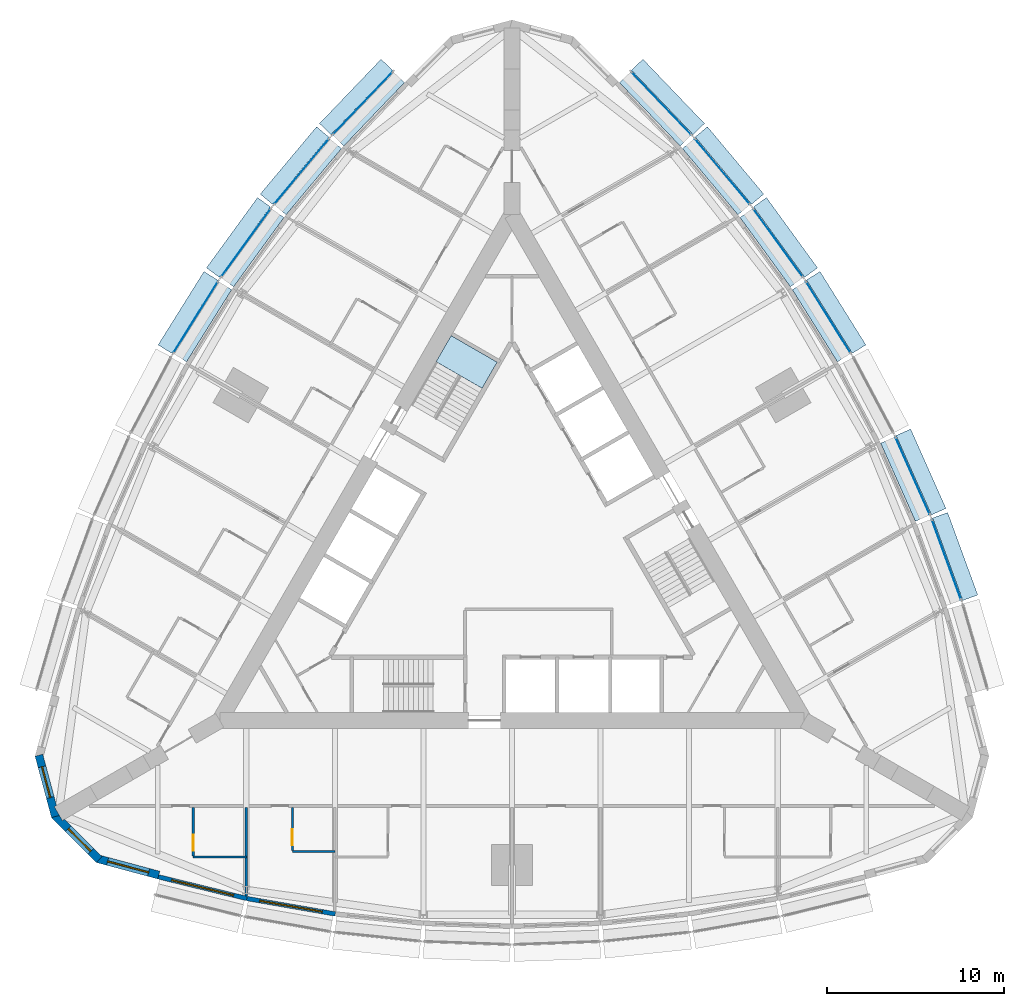
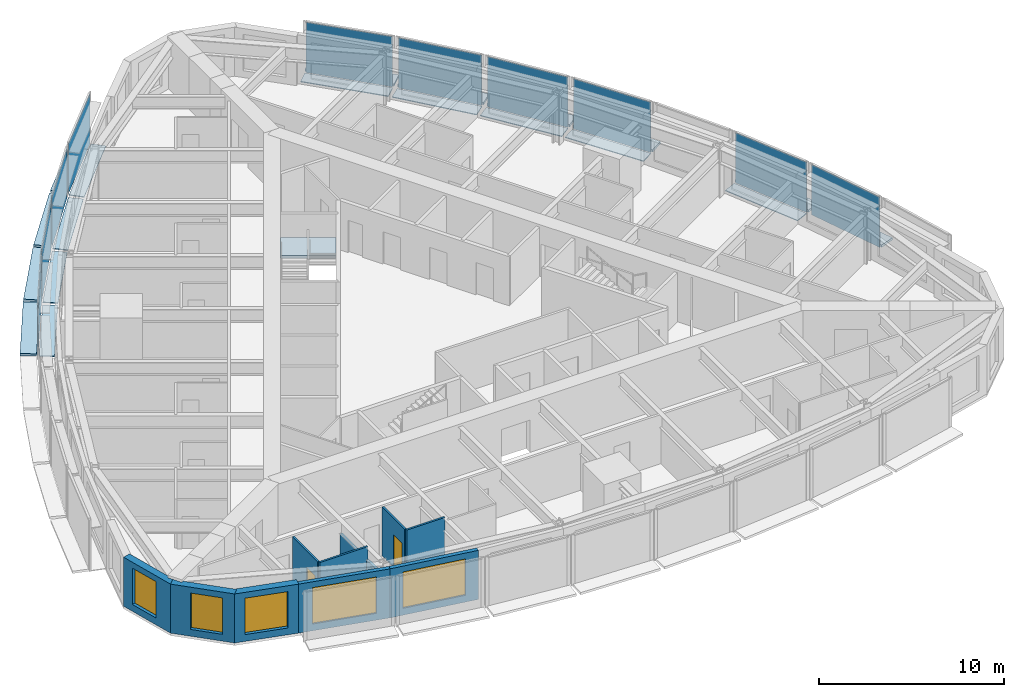
# One storey, part 7 of 14: 29 plates, 10 walls, 5 windows, 2 doors, 1 slab, 7 openings, 11 elements without a shape of their own.
"""IFC4 building model written with IfcOpenShell, lengths in metres."""

from ifc_helpers import new_model, si_unit, direction, frame, frame_2d, origin, origin_2d, place, context, subcontext, project, spatial, polyline, rectangle, outline, extrude, material, layer, layer_set, type_object, element, fill, aggregate, save


model = new_model("IFC4")

# Units and contexts
model_context = context("Model", 3, precision=1e-05, world=origin(), true_north=direction((0.0, 1.0)))
body_context = subcontext(model_context, "Body", "Model", "MODEL_VIEW")
ifc_project = project(units=[si_unit("LENGTHUNIT", "METRE"), si_unit("AREAUNIT", "SQUARE_METRE"), si_unit("VOLUMEUNIT", "CUBIC_METRE"), si_unit("PLANEANGLEUNIT", "RADIAN"), si_unit("MASSUNIT", "GRAM", prefix="KILO")], contexts=[model_context])

# Site, building, storey
site_placement = place(None, origin())
site = spatial("IfcSite", under=ifc_project, at=site_placement, CompositionType="ELEMENT")
building_placement = place(site_placement, origin())
building = spatial("IfcBuilding", under=site, at=building_placement, Name="Trikona Tower", CompositionType="ELEMENT")
storey_placement = place(building_placement, frame((0.0, 0.0, 175.89990234375)))
storey = spatial("IfcBuildingStorey", under=building, at=storey_placement, Name="L47", CompositionType="ELEMENT", Elevation=175.89990234375)

# Plates
ifc_material_1 = material(Name="Aluminium bar grating", Category="aluminium")
ifc_layer_1 = layer(ifc_material_1, 0.050048828125)
ifc_layer_set_1 = layer_set([ifc_layer_1], Name="Cavity catwalk grating")
plate_type_1 = type_object("IfcPlateType", Name="Cavity catwalk grating", PredefinedType="USERDEFINED", material=ifc_layer_set_1)
plate_1_placement = place(storey_placement, frame((22.175048828125, 4.092529296875, -0.0498046875), z_axis=(0.0, 0.0, 1.0), x_axis=(-0.406843467615, 0.913497888809, 0.0)))
element("IfcPlate", 1, at=plate_1_placement, inside=storey, type_object=plate_type_1, Name="Cavity catwalk L47-14", ObjectType="CATWALK GRATING", PredefinedType="USERDEFINED", context=body_context, shape_type="SweptSolid", body=[
    extrude(rectangle(XDim=4.827392578125, YDim=0.830078125, at=origin_2d()), origin(), (0.0, 0.0, 1.0), 0.050048828125),
])
plate_2_placement = place(storey_placement, frame((17.450927734375, 12.978759765625, -0.0498046875), z_axis=(0.0, 0.0, 1.0), x_axis=(-0.529994748414, 0.848000923734, 0.0)))
element("IfcPlate", 2, at=plate_2_placement, inside=storey, type_object=plate_type_1, Name="Cavity catwalk L47-16", ObjectType="CATWALK GRATING", PredefinedType="USERDEFINED", context=body_context, shape_type="SweptSolid", body=[
    extrude(rectangle(XDim=4.802978515625, YDim=0.830078125, at=origin_2d()), origin(), (0.0, 0.0, 1.0), 0.050048828125),
])
plate_3_placement = place(storey_placement, frame((14.6318359375, 17.157958984375, -0.0498046875), z_axis=(0.0, 0.0, 1.0), x_axis=(-0.587686407834, 0.809088799853, 0.0)))
element("IfcPlate", 3, at=plate_3_placement, inside=storey, type_object=plate_type_1, Name="Cavity catwalk L47-17", ObjectType="CATWALK GRATING", PredefinedType="USERDEFINED", context=body_context, shape_type="SweptSolid", body=[
    extrude(rectangle(XDim=4.827392578125, YDim=0.830078125, at=origin_2d()), origin(), (0.0, 0.0, 1.0), 0.050048828125),
])
plate_4_placement = place(storey_placement, frame((11.508056640625, 21.160400390625, -0.0498046875), z_axis=(0.0, 0.0, 1.0), x_axis=(-0.641807063101, 0.766866151133, 0.0)))
element("IfcPlate", 4, at=plate_4_placement, inside=storey, type_object=plate_type_1, Name="Cavity catwalk L47-18", ObjectType="CATWALK GRATING", PredefinedType="USERDEFINED", context=body_context, shape_type="SweptSolid", body=[
    extrude(rectangle(XDim=4.8759765625, YDim=0.830078125, at=origin_2d()), origin(), (0.0, 0.0, 1.0), 0.050048828125),
])
for number, where, z_axis, x_axis, name in (
    (5, (8.080078125, 24.986328125, -0.0498046875), (0.0, 0.0, 1.0), (-0.691723573819, 0.722162376078, 0.0), "Cavity catwalk L47-19"),
    (6, (-8.080078125, 24.986328125, -0.0498046875), (0.0, 0.0, 1.0), (-0.691723573819, -0.722162376078, 0.0), "Cavity catwalk L47-24"),
):
    element("IfcPlate", number, at=place(storey_placement, frame(where, z_axis=z_axis, x_axis=x_axis)), inside=storey, type_object=plate_type_1, Name=name, ObjectType="CATWALK GRATING", PredefinedType="USERDEFINED", context=body_context, shape_type="SweptSolid", body=[
        extrude(rectangle(XDim=4.947998046875, YDim=0.830078125, at=origin_2d()), origin(), (0.0, 0.0, 1.0), 0.050048828125),
    ])
plate_5_placement = place(storey_placement, frame((-11.508056640625, 21.160400390625, -0.0498046875), z_axis=(0.0, 0.0, 1.0), x_axis=(-0.641807063101, -0.766866151133, 0.0)))
element("IfcPlate", 7, at=plate_5_placement, inside=storey, type_object=plate_type_1, Name="Cavity catwalk L47-25", ObjectType="CATWALK GRATING", PredefinedType="USERDEFINED", context=body_context, shape_type="SweptSolid", body=[
    extrude(rectangle(XDim=4.8759765625, YDim=0.830078125, at=origin_2d()), origin(), (0.0, 0.0, 1.0), 0.050048828125),
])
plate_6_placement = place(storey_placement, frame((-14.6318359375, 17.157958984375, -0.0498046875), z_axis=(0.0, 0.0, 1.0), x_axis=(-0.587686407834, -0.809088799853, 0.0)))
element("IfcPlate", 8, at=plate_6_placement, inside=storey, type_object=plate_type_1, Name="Cavity catwalk L47-26", ObjectType="CATWALK GRATING", PredefinedType="USERDEFINED", context=body_context, shape_type="SweptSolid", body=[
    extrude(rectangle(XDim=4.827392578125, YDim=0.830078125, at=origin_2d()), origin(), (0.0, 0.0, 1.0), 0.050048828125),
])
plate_7_placement = place(storey_placement, frame((-17.450927734375, 12.978759765625, -0.0498046875), z_axis=(0.0, 0.0, 1.0), x_axis=(-0.529994748414, -0.848000923734, 0.0)))
element("IfcPlate", 9, at=plate_7_placement, inside=storey, type_object=plate_type_1, Name="Cavity catwalk L47-27", ObjectType="CATWALK GRATING", PredefinedType="USERDEFINED", context=body_context, shape_type="SweptSolid", body=[
    extrude(rectangle(XDim=4.802978515625, YDim=0.830078125, at=origin_2d()), origin(), (0.0, 0.0, 1.0), 0.050048828125),
])

# Curtain wall, plate
ifc_material_2 = material(Name="Aluminium curtain wall system", Category="aluminium")
curtain_wall_type = type_object("IfcCurtainWallType", Name="Curtain wall DS2", PredefinedType="NOTDEFINED", material=ifc_material_2)
curtain_wall_1_placement = place(storey_placement, origin())
curtain_wall_1 = element("IfcCurtainWall", 10, at=curtain_wall_1_placement, inside=storey, type_object=curtain_wall_type, Name="Curtain wall DS2 L47", PredefinedType="NOTDEFINED")
ifc_material_3 = material(Name="Laminated clear glass", Category="glass")
ifc_layer_2 = layer(ifc_material_3, 0.028076171875)
ifc_layer_set_2 = layer_set([ifc_layer_2], Name="Glass panel DS2")
plate_type_2 = type_object("IfcPlateType", Name="Glass panel DS2", PredefinedType="CURTAIN_PANEL", material=ifc_layer_set_2)
plate_8_placement = place(storey_placement, frame((24.53515625, -0.447509765625, 0.0), z_axis=(0.0, 0.0, 1.0), x_axis=(-0.343223420143, 0.939253790978, 0.0)))
plate_8 = element("IfcPlate", 11, at=plate_8_placement, type_object=plate_type_2, Name="CW-DS2 panel 1.1", PredefinedType="CURTAIN_PANEL", context=body_context, shape_type="SweptSolid", body=[
    extrude(rectangle(XDim=4.7958984375, YDim=0.028076171875, at=origin_2d()), origin(), (0.0, 0.0, 1.0), 3.320068359375),
])
aggregate(curtain_wall_1, [plate_8])

curtain_wall_2_placement = place(storey_placement, origin())
curtain_wall_2 = element("IfcCurtainWall", 12, at=curtain_wall_2_placement, inside=storey, type_object=curtain_wall_type, Name="Curtain wall DS2 L47", PredefinedType="NOTDEFINED")
plate_9_placement = place(storey_placement, frame((22.6181640625, 4.289794921875, 0.0), z_axis=(0.0, 0.0, 1.0), x_axis=(-0.406836013132, 0.913501208767, 0.0)))
plate_9 = element("IfcPlate", 13, at=plate_9_placement, type_object=plate_type_2, Name="CW-DS2 panel 1.1", PredefinedType="CURTAIN_PANEL", context=body_context, shape_type="SweptSolid", body=[
    extrude(rectangle(XDim=4.747314453125, YDim=0.028076171875, at=origin_2d()), origin(), (0.0, 0.0, 1.0), 3.320068359375),
])
aggregate(curtain_wall_2, [plate_9])

curtain_wall_3_placement = place(storey_placement, origin())
curtain_wall_3 = element("IfcCurtainWall", 14, at=curtain_wall_3_placement, inside=storey, type_object=curtain_wall_type, Name="Curtain wall DS2 L47", PredefinedType="NOTDEFINED")
plate_10_placement = place(storey_placement, frame((17.8623046875, 13.23583984375, 0.0), z_axis=(0.0, 0.0, 1.0), x_axis=(-0.529998940002, 0.847998304006, 0.0)))
plate_10 = element("IfcPlate", 15, at=plate_10_placement, type_object=plate_type_2, Name="CW-DS2 panel 1.1", PredefinedType="CURTAIN_PANEL", context=body_context, shape_type="SweptSolid", body=[
    extrude(rectangle(XDim=4.72314453125, YDim=0.028076171875, at=origin_2d()), origin(), (0.0, 0.0, 1.0), 3.320068359375),
])
aggregate(curtain_wall_3, [plate_10])

curtain_wall_4_placement = place(storey_placement, origin())
curtain_wall_4 = element("IfcCurtainWall", 16, at=curtain_wall_4_placement, inside=storey, type_object=curtain_wall_type, Name="Curtain wall DS2 L47", PredefinedType="NOTDEFINED")
plate_11_placement = place(storey_placement, frame((15.024169921875, 17.443115234375, 0.0), z_axis=(0.0, 0.0, 1.0), x_axis=(-0.587690588313, 0.80908576332, 0.0)))
plate_11 = element("IfcPlate", 17, at=plate_11_placement, type_object=plate_type_2, Name="CW-DS2 panel 1.1", PredefinedType="CURTAIN_PANEL", context=body_context, shape_type="SweptSolid", body=[
    extrude(rectangle(XDim=4.74755859375, YDim=0.028076171875, at=origin_2d()), origin(), (0.0, 0.0, 1.0), 3.320068359375),
])
aggregate(curtain_wall_4, [plate_11])

curtain_wall_5_placement = place(storey_placement, origin())
curtain_wall_5 = element("IfcCurtainWall", 18, at=curtain_wall_5_placement, inside=storey, type_object=curtain_wall_type, Name="Curtain wall DS2 L47", PredefinedType="NOTDEFINED")
plate_12_placement = place(storey_placement, frame((11.8798828125, 21.4716796875, 0.0), z_axis=(0.0, 0.0, 1.0), x_axis=(-0.641806433248, 0.766866678271, 0.0)))
plate_12 = element("IfcPlate", 19, at=plate_12_placement, type_object=plate_type_2, Name="CW-DS2 panel 1.1", PredefinedType="CURTAIN_PANEL", context=body_context, shape_type="SweptSolid", body=[
    extrude(rectangle(XDim=4.7958984375, YDim=0.028076171875, at=origin_2d()), origin(), (0.0, 0.0, 1.0), 3.320068359375),
])
aggregate(curtain_wall_5, [plate_12])

curtain_wall_6_placement = place(storey_placement, origin())
curtain_wall_6 = element("IfcCurtainWall", 20, at=curtain_wall_6_placement, inside=storey, type_object=curtain_wall_type, Name="Curtain wall DS2 L47", PredefinedType="NOTDEFINED")
plate_13_placement = place(storey_placement, frame((8.430419921875, 25.32177734375, 0.0), z_axis=(0.0, 0.0, 1.0), x_axis=(-0.691727797117, 0.722158330767, 0.0)))
plate_13 = element("IfcPlate", 21, at=plate_13_placement, type_object=plate_type_2, Name="CW-DS2 panel 1.1", PredefinedType="CURTAIN_PANEL", context=body_context, shape_type="SweptSolid", body=[
    extrude(rectangle(XDim=4.867919921875, YDim=0.028076171875, at=origin_2d()), origin(), (0.0, 0.0, 1.0), 3.320068359375),
])
aggregate(curtain_wall_6, [plate_13])

curtain_wall_7_placement = place(storey_placement, origin())
curtain_wall_7 = element("IfcCurtainWall", 22, at=curtain_wall_7_placement, inside=storey, type_object=curtain_wall_type, Name="Curtain wall DS2 L47", PredefinedType="NOTDEFINED")
plate_14_placement = place(storey_placement, frame((-8.430419921875, 25.32177734375, 0.0), z_axis=(0.0, 0.0, 1.0), x_axis=(-0.691727797117, -0.722158330767, 0.0)))
plate_14 = element("IfcPlate", 23, at=plate_14_placement, type_object=plate_type_2, Name="CW-DS2 panel 1.1", PredefinedType="CURTAIN_PANEL", context=body_context, shape_type="SweptSolid", body=[
    extrude(rectangle(XDim=4.867919921875, YDim=0.028076171875, at=origin_2d()), origin(), (0.0, 0.0, 1.0), 3.320068359375),
])
aggregate(curtain_wall_7, [plate_14])

curtain_wall_8_placement = place(storey_placement, origin())
curtain_wall_8 = element("IfcCurtainWall", 24, at=curtain_wall_8_placement, inside=storey, type_object=curtain_wall_type, Name="Curtain wall DS2 L47", PredefinedType="NOTDEFINED")
plate_15_placement = place(storey_placement, frame((-11.8798828125, 21.4716796875, 0.0), z_axis=(0.0, 0.0, 1.0), x_axis=(-0.641806433248, -0.766866678271, 0.0)))
plate_15 = element("IfcPlate", 25, at=plate_15_placement, type_object=plate_type_2, Name="CW-DS2 panel 1.1", PredefinedType="CURTAIN_PANEL", context=body_context, shape_type="SweptSolid", body=[
    extrude(rectangle(XDim=4.7958984375, YDim=0.028076171875, at=origin_2d()), origin(), (0.0, 0.0, 1.0), 3.320068359375),
])
aggregate(curtain_wall_8, [plate_15])

curtain_wall_9_placement = place(storey_placement, origin())
curtain_wall_9 = element("IfcCurtainWall", 26, at=curtain_wall_9_placement, inside=storey, type_object=curtain_wall_type, Name="Curtain wall DS2 L47", PredefinedType="NOTDEFINED")
plate_16_placement = place(storey_placement, frame((-15.024169921875, 17.443115234375, 0.0), z_axis=(0.0, 0.0, 1.0), x_axis=(-0.587690588313, -0.80908576332, 0.0)))
plate_16 = element("IfcPlate", 27, at=plate_16_placement, type_object=plate_type_2, Name="CW-DS2 panel 1.1", PredefinedType="CURTAIN_PANEL", context=body_context, shape_type="SweptSolid", body=[
    extrude(rectangle(XDim=4.74755859375, YDim=0.028076171875, at=origin_2d()), origin(), (0.0, 0.0, 1.0), 3.320068359375),
])
aggregate(curtain_wall_9, [plate_16])

curtain_wall_10_placement = place(storey_placement, origin())
curtain_wall_10 = element("IfcCurtainWall", 28, at=curtain_wall_10_placement, inside=storey, type_object=curtain_wall_type, Name="Curtain wall DS2 L47", PredefinedType="NOTDEFINED")
plate_17_placement = place(storey_placement, frame((-17.8623046875, 13.23583984375, 0.0), z_axis=(0.0, 0.0, 1.0), x_axis=(-0.529998940002, -0.847998304006, 0.0)))
plate_17 = element("IfcPlate", 29, at=plate_17_placement, type_object=plate_type_2, Name="CW-DS2 panel 1.1", PredefinedType="CURTAIN_PANEL", context=body_context, shape_type="SweptSolid", body=[
    extrude(rectangle(XDim=4.72314453125, YDim=0.028076171875, at=origin_2d()), origin(), (0.0, 0.0, 1.0), 3.320068359375),
])
aggregate(curtain_wall_10, [plate_17])

# Plates
ifc_material_4 = material(Name="Aluminium plate fin, pale anodised, on stainless steel outriggers", Category="steel")
ifc_layer_3 = layer(ifc_material_4, 0.14990234375)
ifc_layer_set_3 = layer_set([ifc_layer_3], Name="Outer skin fin 900")
plate_type_3 = type_object("IfcPlateType", Name="Outer skin fin 900", PredefinedType="USERDEFINED", material=ifc_layer_set_3)
plate_18_placement = place(storey_placement, frame((25.0234375, -0.26904296875, 0.000244140625), z_axis=(0.0, 0.0, 1.0), x_axis=(-0.343220397324, 0.939254895575, 0.0)))
element("IfcPlate", 30, at=plate_18_placement, inside=storey, type_object=plate_type_3, Name="Outer skin fin L47-13", ObjectType="FIN", PredefinedType="USERDEFINED", context=body_context, shape_type="SweptSolid", body=[
    extrude(rectangle(XDim=4.9560546875, YDim=0.89990234375, at=origin_2d()), origin(), (0.0, 0.0, 1.0), 0.14990234375),
])
plate_19_placement = place(storey_placement, frame((23.09326171875, 4.50146484375, 0.000244140625), z_axis=(0.0, 0.0, 1.0), x_axis=(-0.406843467615, 0.913497888809, 0.0)))
element("IfcPlate", 31, at=plate_19_placement, inside=storey, type_object=plate_type_3, Name="Outer skin fin L47-14", ObjectType="FIN", PredefinedType="USERDEFINED", context=body_context, shape_type="SweptSolid", body=[
    extrude(rectangle(XDim=4.907470703125, YDim=0.89990234375, at=origin_2d()), origin(), (0.0, 0.0, 1.0), 0.14990234375),
])
plate_20_placement = place(storey_placement, frame((18.30322265625, 13.511474609375, 0.000244140625), z_axis=(0.0, 0.0, 1.0), x_axis=(-0.529994748414, 0.848000923734, 0.0)))
element("IfcPlate", 32, at=plate_20_placement, inside=storey, type_object=plate_type_3, Name="Outer skin fin L47-16", ObjectType="FIN", PredefinedType="USERDEFINED", context=body_context, shape_type="SweptSolid", body=[
    extrude(rectangle(XDim=4.883056640625, YDim=0.89990234375, at=origin_2d()), origin(), (0.0, 0.0, 1.0), 0.14990234375),
])
plate_21_placement = place(storey_placement, frame((15.44482421875, 17.74853515625, 0.000244140625), z_axis=(0.0, 0.0, 1.0), x_axis=(-0.587686407834, 0.809088799853, 0.0)))
element("IfcPlate", 33, at=plate_21_placement, inside=storey, type_object=plate_type_3, Name="Outer skin fin L47-17", ObjectType="FIN", PredefinedType="USERDEFINED", context=body_context, shape_type="SweptSolid", body=[
    extrude(rectangle(XDim=4.907470703125, YDim=0.89990234375, at=origin_2d()), origin(), (0.0, 0.0, 1.0), 0.14990234375),
])
plate_22_placement = place(storey_placement, frame((12.27880859375, 21.8056640625, 0.000244140625), z_axis=(0.0, 0.0, 1.0), x_axis=(-0.641807063101, 0.766866151133, 0.0)))
element("IfcPlate", 34, at=plate_22_placement, inside=storey, type_object=plate_type_3, Name="Outer skin fin L47-18", ObjectType="FIN", PredefinedType="USERDEFINED", context=body_context, shape_type="SweptSolid", body=[
    extrude(rectangle(XDim=4.9560546875, YDim=0.89990234375, at=origin_2d()), origin(), (0.0, 0.0, 1.0), 0.14990234375),
])
for number, where, z_axis, x_axis, name in (
    (35, (8.805908203125, 25.681396484375, 0.000244140625), (0.0, 0.0, 1.0), (-0.691723573819, 0.722162376078, 0.0), "Outer skin fin L47-19"),
    (36, (-8.805908203125, 25.681396484375, 0.000244140625), (0.0, 0.0, 1.0), (-0.691723573819, -0.722162376078, 0.0), "Outer skin fin L47-24"),
):
    element("IfcPlate", number, at=place(storey_placement, frame(where, z_axis=z_axis, x_axis=x_axis)), inside=storey, type_object=plate_type_3, Name=name, ObjectType="FIN", PredefinedType="USERDEFINED", context=body_context, shape_type="SweptSolid", body=[
        extrude(rectangle(XDim=5.02783203125, YDim=0.89990234375, at=origin_2d()), origin(), (0.0, 0.0, 1.0), 0.14990234375),
    ])
plate_23_placement = place(storey_placement, frame((-12.27880859375, 21.8056640625, 0.000244140625), z_axis=(0.0, 0.0, 1.0), x_axis=(-0.641807063101, -0.766866151133, 0.0)))
element("IfcPlate", 37, at=plate_23_placement, inside=storey, type_object=plate_type_3, Name="Outer skin fin L47-25", ObjectType="FIN", PredefinedType="USERDEFINED", context=body_context, shape_type="SweptSolid", body=[
    extrude(rectangle(XDim=4.9560546875, YDim=0.89990234375, at=origin_2d()), origin(), (0.0, 0.0, 1.0), 0.14990234375),
])
plate_24_placement = place(storey_placement, frame((-15.44482421875, 17.74853515625, 0.000244140625), z_axis=(0.0, 0.0, 1.0), x_axis=(-0.587686407834, -0.809088799853, 0.0)))
element("IfcPlate", 38, at=plate_24_placement, inside=storey, type_object=plate_type_3, Name="Outer skin fin L47-26", ObjectType="FIN", PredefinedType="USERDEFINED", context=body_context, shape_type="SweptSolid", body=[
    extrude(rectangle(XDim=4.907470703125, YDim=0.89990234375, at=origin_2d()), origin(), (0.0, 0.0, 1.0), 0.14990234375),
])
plate_25_placement = place(storey_placement, frame((-18.30322265625, 13.511474609375, 0.000244140625), z_axis=(0.0, 0.0, 1.0), x_axis=(-0.529994748414, -0.848000923734, 0.0)))
element("IfcPlate", 39, at=plate_25_placement, inside=storey, type_object=plate_type_3, Name="Outer skin fin L47-27", ObjectType="FIN", PredefinedType="USERDEFINED", context=body_context, shape_type="SweptSolid", body=[
    extrude(rectangle(XDim=4.883056640625, YDim=0.89990234375, at=origin_2d()), origin(), (0.0, 0.0, 1.0), 0.14990234375),
])

# Stair, slab
ifc_material_5 = material(Name="Concrete f'c 5000 psi", Category="concrete")
stair_type = type_object("IfcStairType", Name="Core stair", PredefinedType="HALF_TURN_STAIR", material=ifc_material_5)
stair_placement = place(storey_placement, origin())
stair = element("IfcStair", 40, at=stair_placement, inside=storey, type_object=stair_type, Name="Stair C L47", PredefinedType="HALF_TURN_STAIR")
ifc_material_6 = material(Name="Concrete f'c 5000 psi", Category="concrete")
ifc_layer_4 = layer(ifc_material_6, 0.199951171875)
ifc_layer_set_4 = layer_set([ifc_layer_4], Name="Stair landing 200")
slab_type = type_object("IfcSlabType", Name="Stair landing 200", PredefinedType="LANDING", material=ifc_layer_set_4)
slab_placement = place(storey_placement, frame((0.0, 0.0, 1.5)))
slab = element("IfcSlab", 41, at=slab_placement, type_object=slab_type, Name="ST-C landing 2", PredefinedType="LANDING", context=body_context, shape_type="SweptSolid", body=[
    extrude(outline(polyline([(-0.837158203125, 10.702392578125), (-1.688720703125, 9.2275390625), (-4.286865234375, 10.7275390625), (-3.435302734375, 12.202392578125), (-0.837158203125, 10.702392578125)])), origin(), (0.0, 0.0, 1.0), 0.2001953125),
])
aggregate(stair, [slab])

# Wall
ifc_material_7 = material(Name="Metal stud and cement board", Category="gypsum")
ifc_layer_5 = layer(ifc_material_7, 0.1201171875)
ifc_layer_set_5 = layer_set([ifc_layer_5], Name="Bathroom wall 120")
wall_type_1 = type_object("IfcWallType", Name="Bathroom wall 120", PredefinedType="PLUMBINGWALL", material=ifc_layer_set_5)
wall_1_placement = place(storey_placement, frame((-18.0, -17.226318359375, 0.0), z_axis=(0.0, 0.0, 1.0), x_axis=(1.0, 0.0, 0.0)))
element("IfcWall", 42, at=wall_1_placement, inside=storey, type_object=wall_type_1, Name="Bathroom wall 4701", PredefinedType="PLUMBINGWALL", context=body_context, shape_type="SweptSolid", body=[
    extrude(rectangle(XDim=3.0, YDim=0.1201171875, at=frame_2d((1.5, 0.0))), origin(), (0.0, 0.0, 1.0), 3.235107421875),
])

# Wall, opening, door
wall_2_placement = place(storey_placement, frame((-18.0, -14.42626953125, 0.0), z_axis=(0.0, 0.0, 1.0), x_axis=(0.0, -1.0, 0.0)))
wall_2 = element("IfcWall", 43, at=wall_2_placement, inside=storey, type_object=wall_type_1, Name="Bathroom wall 4701", PredefinedType="PLUMBINGWALL", context=body_context, shape_type="SweptSolid", body=[
    extrude(rectangle(XDim=2.739990234375, YDim=0.1201171875, at=frame_2d((1.3701171875, 0.0))), origin(), (0.0, 0.0, 1.0), 3.235107421875),
])
opening_1_placement = place(wall_2_placement, frame((1.550048828125, 0.0, 0.0)))
opening_1 = element("IfcOpeningElement", 44, at=opening_1_placement, cuts=wall_2, Name="Opening D2", PredefinedType="OPENING", context=body_context, shape_type="SweptSolid", body=[
    extrude(rectangle(XDim=0.89990234375, YDim=2.1298828125, at=frame_2d((0.449951171875, 1.06494140625))), frame((0.0, 0.070068359375, 0.0), z_axis=(0.0, -1.0, 0.0), x_axis=(1.0, 0.0, 0.0)), (0.0, 0.0, 1.0), 0.14013671875),
])
ifc_material_8 = material(Name="Steel door frame with solid-core timber leaf", Category="steel")
door_type = type_object("IfcDoorType", Name="Bathroom door 900x2130", OperationType="SLIDING_TO_LEFT", PredefinedType="DOOR", material=ifc_material_8)
door_1_placement = place(opening_1_placement, origin())
door_1 = element("IfcDoor", 45, at=door_1_placement, inside=storey, type_object=door_type, Name="Bathroom door 4701", OperationType="SLIDING_TO_LEFT", OverallHeight=2.1298828125, OverallWidth=0.89990234375, PredefinedType="DOOR", context=body_context, shape_type="SweptSolid", body=[
    extrude(rectangle(XDim=0.89990234375, YDim=2.1298828125, at=frame_2d((0.449951171875, 1.06494140625))), frame((0.0, 0.02490234375, 0.0), z_axis=(0.0, -1.0, 0.0), x_axis=(1.0, 0.0, 0.0)), (0.0, 0.0, 1.0), 0.050048828125),
])
fill(opening_1, door_1)

# Wall
wall_3_placement = place(storey_placement, frame((-12.39990234375, -16.92626953125, 0.0), z_axis=(0.0, 0.0, 1.0), x_axis=(1.0, 0.0, 0.0)))
element("IfcWall", 46, at=wall_3_placement, inside=storey, type_object=wall_type_1, Name="Bathroom wall 4702", PredefinedType="PLUMBINGWALL", context=body_context, shape_type="SweptSolid", body=[
    extrude(rectangle(XDim=2.39990234375, YDim=0.1201171875, at=frame_2d((1.199951171875, 0.0))), origin(), (0.0, 0.0, 1.0), 3.235107421875),
])

# Wall, opening, door
wall_4_placement = place(storey_placement, frame((-12.39990234375, -14.42626953125, 0.0), z_axis=(0.0, 0.0, 1.0), x_axis=(0.0, -1.0, 0.0)))
wall_4 = element("IfcWall", 47, at=wall_4_placement, inside=storey, type_object=wall_type_1, Name="Bathroom wall 4702", PredefinedType="PLUMBINGWALL", context=body_context, shape_type="SweptSolid", body=[
    extrude(rectangle(XDim=2.43994140625, YDim=0.1201171875, at=frame_2d((1.219970703125, 0.0))), origin(), (0.0, 0.0, 1.0), 3.235107421875),
])
opening_2_placement = place(wall_4_placement, frame((1.25, 0.0, 0.0)))
opening_2 = element("IfcOpeningElement", 48, at=opening_2_placement, cuts=wall_4, Name="Opening D2", PredefinedType="OPENING", context=body_context, shape_type="SweptSolid", body=[
    extrude(rectangle(XDim=0.89990234375, YDim=2.1298828125, at=frame_2d((0.449951171875, 1.06494140625))), frame((0.0, 0.070068359375, 0.0), z_axis=(0.0, -1.0, 0.0), x_axis=(1.0, 0.0, 0.0)), (0.0, 0.0, 1.0), 0.14013671875),
])
door_2_placement = place(opening_2_placement, origin())
door_2 = element("IfcDoor", 49, at=door_2_placement, inside=storey, type_object=door_type, Name="Bathroom door 4702", OperationType="SLIDING_TO_LEFT", OverallHeight=2.1298828125, OverallWidth=0.89990234375, PredefinedType="DOOR", context=body_context, shape_type="SweptSolid", body=[
    extrude(rectangle(XDim=0.89990234375, YDim=2.1298828125, at=frame_2d((0.449951171875, 1.06494140625))), frame((0.0, 0.02490234375, 0.0), z_axis=(0.0, -1.0, 0.0), x_axis=(1.0, 0.0, 0.0)), (0.0, 0.0, 1.0), 0.050048828125),
])
fill(opening_2, door_2)

# Wall, opening, window
ifc_material_9 = material(Name="Brick-faced precast concrete", Category="masonry")
ifc_layer_6 = layer(ifc_material_9, 0.449951171875)
ifc_layer_set_6 = layer_set([ifc_layer_6], Name="Brick-faced corner wall 450")
wall_type_2 = type_object("IfcWallType", Name="Brick-faced corner wall 450", PredefinedType="SOLIDWALL", material=ifc_layer_set_6)
wall_5_placement = place(storey_placement, frame((-26.7109375, -11.48876953125, 0.0), z_axis=(0.0, 0.0, 1.0), x_axis=(0.258823421857, -0.965924653531, 0.0)))
wall_5 = element("IfcWall", 50, at=wall_5_placement, inside=storey, type_object=wall_type_2, Name="External wall L47-33", PredefinedType="SOLIDWALL", context=body_context, shape_type="SweptSolid", body=[
    extrude(outline(polyline([(3.58642578125, 0.22509765625), (3.52685546875, 0.22509765625), (3.03515625, 0.09326171875), (3.0, 0.22509765625), (0.0, 0.22509765625), (0.0, -0.22509765625), (3.58642578125, -0.22509765625), (3.58642578125, 0.22509765625)])), origin(), (0.0, 0.0, 1.0), 3.235107421875),
])
opening_3_placement = place(wall_5_placement, frame((0.6748046875, 0.0, 0.449951171875)))
opening_3 = element("IfcOpeningElement", 51, at=opening_3_placement, cuts=wall_5, Name="Opening W1824", PredefinedType="OPENING", context=body_context, shape_type="SweptSolid", body=[
    extrude(rectangle(XDim=1.800048828125, YDim=2.39990234375, at=frame_2d((0.89990234375, 1.199951171875))), frame((0.0, 0.23486328125, 0.0), z_axis=(0.0, -1.0, 0.0), x_axis=(1.0, 0.0, 0.0)), (0.0, 0.0, 1.0), 0.469970703125),
])
ifc_material_10 = material(Name="Aluminium-framed double glazing", Category="aluminium")
window_type_1 = type_object("IfcWindowType", Name="Window 1800x2400", PartitioningType="SINGLE_PANEL", PredefinedType="WINDOW", material=ifc_material_10)
window_1_placement = place(opening_3_placement, origin())
window_1 = element("IfcWindow", 52, at=window_1_placement, inside=storey, type_object=window_type_1, Name="Window 4715", OverallHeight=2.39990234375, OverallWidth=1.800048828125, PartitioningType="SINGLE_PANEL", PredefinedType="WINDOW", context=body_context, shape_type="SweptSolid", body=[
    extrude(rectangle(XDim=1.800048828125, YDim=2.39990234375, at=frame_2d((0.89990234375, 1.199951171875))), frame((0.0, 0.030029296875, 0.0), z_axis=(0.0, -1.0, 0.0), x_axis=(1.0, 0.0, 0.0)), (0.0, 0.0, 1.0), 0.06005859375),
])
fill(opening_3, window_1)

wall_6_placement = place(storey_placement, frame((-25.8408203125, -14.85205078125, 0.0), z_axis=(0.0, 0.0, 1.0), x_axis=(0.707106781187, -0.707106781187, 0.0)))
wall_6 = element("IfcWall", 53, at=wall_6_placement, inside=storey, type_object=wall_type_2, Name="External wall L47-34", PredefinedType="SOLIDWALL", context=body_context, shape_type="SweptSolid", body=[
    extrude(outline(polyline([(3.586181640625, 0.22509765625), (0.58642578125, 0.22509765625), (0.551025390625, 0.09326171875), (0.05908203125, 0.22509765625), (0.0, 0.22509765625), (0.0, -0.22509765625), (3.586181640625, -0.22509765625), (3.586181640625, 0.22509765625)])), origin(), (0.0, 0.0, 1.0), 3.235107421875),
])
opening_4_placement = place(wall_6_placement, frame((1.111328125, 0.0, 0.449951171875)))
opening_4 = element("IfcOpeningElement", 54, at=opening_4_placement, cuts=wall_6, Name="Opening W1824", PredefinedType="OPENING", context=body_context, shape_type="SweptSolid", body=[
    extrude(rectangle(XDim=1.800048828125, YDim=2.39990234375, at=frame_2d((0.89990234375, 1.199951171875))), frame((0.0, 0.23486328125, 0.0), z_axis=(0.0, -1.0, 0.0), x_axis=(1.0, 0.0, 0.0)), (0.0, 0.0, 1.0), 0.469970703125),
])
window_2_placement = place(opening_4_placement, origin())
window_2 = element("IfcWindow", 55, at=window_2_placement, inside=storey, type_object=window_type_1, Name="Window 4701", OverallHeight=2.39990234375, OverallWidth=1.800048828125, PartitioningType="SINGLE_PANEL", PredefinedType="WINDOW", context=body_context, shape_type="SweptSolid", body=[
    extrude(rectangle(XDim=1.800048828125, YDim=2.39990234375, at=frame_2d((0.89990234375, 1.199951171875))), frame((0.0, 0.030029296875, 0.0), z_axis=(0.0, -1.0, 0.0), x_axis=(1.0, 0.0, 0.0)), (0.0, 0.0, 1.0), 0.06005859375),
])
fill(opening_4, window_2)

wall_7_placement = place(storey_placement, frame((-23.406005859375, -17.32958984375, 0.0), z_axis=(0.0, 0.0, 1.0), x_axis=(0.965924653531, -0.258823421857, 0.0)))
wall_7 = element("IfcWall", 56, at=wall_7_placement, inside=storey, type_object=wall_type_2, Name="External wall L47-35", PredefinedType="SOLIDWALL", context=body_context, shape_type="SweptSolid", body=[
    extrude(rectangle(XDim=3.58642578125, YDim=0.449951171875, at=frame_2d((1.793212890625, 0.0))), origin(), (0.0, 0.0, 1.0), 3.235107421875),
])
opening_5_placement = place(wall_7_placement, frame((0.593017578125, 0.0, 0.449951171875)))
opening_5 = element("IfcOpeningElement", 57, at=opening_5_placement, cuts=wall_7, Name="Opening W2424", PredefinedType="OPENING", context=body_context, shape_type="SweptSolid", body=[
    extrude(rectangle(XDim=2.39990234375, YDim=2.39990234375, at=frame_2d((1.199951171875, 1.199951171875))), frame((0.0, 0.23486328125, 0.0), z_axis=(0.0, -1.0, 0.0), x_axis=(1.0, 0.0, 0.0)), (0.0, 0.0, 1.0), 0.469970703125),
])
ifc_material_11 = material(Name="Aluminium-framed double glazing", Category="aluminium")
window_type_2 = type_object("IfcWindowType", Name="Window 2400x2400", PartitioningType="SINGLE_PANEL", PredefinedType="WINDOW", material=ifc_material_11)
window_3_placement = place(opening_5_placement, origin())
window_3 = element("IfcWindow", 58, at=window_3_placement, inside=storey, type_object=window_type_2, Name="Window 4701", OverallHeight=2.39990234375, OverallWidth=2.39990234375, PartitioningType="SINGLE_PANEL", PredefinedType="WINDOW", context=body_context, shape_type="SweptSolid", body=[
    extrude(rectangle(XDim=2.39990234375, YDim=2.39990234375, at=frame_2d((1.199951171875, 1.199951171875))), frame((0.0, 0.030029296875, 0.0), z_axis=(0.0, -1.0, 0.0), x_axis=(1.0, 0.0, 0.0)), (0.0, 0.0, 1.0), 0.06005859375),
])
fill(opening_5, window_3)

ifc_material_12 = material(Name="Insulated precast concrete spandrel panel", Category="concrete")
ifc_layer_7 = layer(ifc_material_12, 0.25)
ifc_layer_set_7 = layer_set([ifc_layer_7], Name="Inner skin wall 250")
wall_type_3 = type_object("IfcWallType", Name="Inner skin wall 250", PredefinedType="STANDARD", material=ifc_layer_set_7)
wall_8_placement = place(storey_placement, frame((-19.97021484375, -18.353759765625, 0.0), z_axis=(0.0, 0.0, 1.0), x_axis=(0.971270024053, -0.237980126011, 0.0)))
wall_8 = element("IfcWall", 59, at=wall_8_placement, inside=storey, type_object=wall_type_3, Name="External wall L47-00", PredefinedType="STANDARD", context=body_context, shape_type="SweptSolid", body=[
    extrude(rectangle(XDim=5.14794921875, YDim=0.25, at=frame_2d((2.573974609375, 0.0))), origin(), (0.0, 0.0, 1.0), 3.235107421875),
])
opening_6_placement = place(wall_8_placement, frame((0.77392578125, 0.0, 0.449951171875)))
opening_6 = element("IfcOpeningElement", 60, at=opening_6_placement, cuts=wall_8, Name="Opening W3624", PredefinedType="OPENING", context=body_context, shape_type="SweptSolid", body=[
    extrude(rectangle(XDim=3.60009765625, YDim=2.39990234375, at=frame_2d((1.800048828125, 1.199951171875))), frame((0.0, 0.135009765625, 0.0), z_axis=(0.0, -1.0, 0.0), x_axis=(1.0, 0.0, 0.0)), (0.0, 0.0, 1.0), 0.27001953125),
])
ifc_material_13 = material(Name="Aluminium-framed double glazing", Category="aluminium")
window_type_3 = type_object("IfcWindowType", Name="Window 3600x2400", PartitioningType="SINGLE_PANEL", PredefinedType="WINDOW", material=ifc_material_13)
window_4_placement = place(opening_6_placement, origin())
window_4 = element("IfcWindow", 61, at=window_4_placement, inside=storey, type_object=window_type_3, Name="Window 4701", OverallHeight=2.39990234375, OverallWidth=3.60009765625, PartitioningType="SINGLE_PANEL", PredefinedType="WINDOW", context=body_context, shape_type="SweptSolid", body=[
    extrude(rectangle(XDim=3.60009765625, YDim=2.39990234375, at=frame_2d((1.800048828125, 1.199951171875))), frame((0.0, 0.030029296875, 0.0), z_axis=(0.0, -1.0, 0.0), x_axis=(1.0, 0.0, 0.0)), (0.0, 0.0, 1.0), 0.06005859375),
])
fill(opening_6, window_4)

wall_9_placement = place(storey_placement, frame((-14.978515625, -19.5771484375, 0.0), z_axis=(0.0, 0.0, 1.0), x_axis=(0.985030467156, -0.172380331752, 0.0)))
wall_9 = element("IfcWall", 62, at=wall_9_placement, inside=storey, type_object=wall_type_3, Name="External wall L47-01", PredefinedType="STANDARD", context=body_context, shape_type="SweptSolid", body=[
    extrude(rectangle(XDim=5.075927734375, YDim=0.25, at=frame_2d((2.5380859375, 0.0))), origin(), (0.0, 0.0, 1.0), 3.235107421875),
])
opening_7_placement = place(wall_9_placement, frame((0.738037109375, 0.0, 0.449951171875)))
opening_7 = element("IfcOpeningElement", 63, at=opening_7_placement, cuts=wall_9, Name="Opening W3624", PredefinedType="OPENING", context=body_context, shape_type="SweptSolid", body=[
    extrude(rectangle(XDim=3.60009765625, YDim=2.39990234375, at=frame_2d((1.800048828125, 1.199951171875))), frame((0.0, 0.135009765625, 0.0), z_axis=(0.0, -1.0, 0.0), x_axis=(1.0, 0.0, 0.0)), (0.0, 0.0, 1.0), 0.27001953125),
])
window_5_placement = place(opening_7_placement, origin())
window_5 = element("IfcWindow", 64, at=window_5_placement, inside=storey, type_object=window_type_3, Name="Window 4702", OverallHeight=2.39990234375, OverallWidth=3.60009765625, PartitioningType="SINGLE_PANEL", PredefinedType="WINDOW", context=body_context, shape_type="SweptSolid", body=[
    extrude(rectangle(XDim=3.60009765625, YDim=2.39990234375, at=frame_2d((1.800048828125, 1.199951171875))), frame((0.0, 0.030029296875, 0.0), z_axis=(0.0, -1.0, 0.0), x_axis=(1.0, 0.0, 0.0)), (0.0, 0.0, 1.0), 0.06005859375),
])
fill(opening_7, window_5)

# Wall
ifc_material_14 = material(Name="Metal stud and gypsum board, 1-hour acoustic", Category="gypsum")
ifc_layer_8 = layer(ifc_material_14, 0.14990234375)
ifc_layer_set_8 = layer_set([ifc_layer_8], Name="Party wall 150")
wall_type_4 = type_object("IfcWallType", Name="Party wall 150", PredefinedType="PARTITIONING", material=ifc_layer_set_8)
wall_10_placement = place(storey_placement, frame((-15.0, -14.42626953125, 0.0), z_axis=(0.0, 0.0, 1.0), x_axis=(0.0, -1.0, 0.0)))
element("IfcWall", 65, at=wall_10_placement, inside=storey, type_object=wall_type_4, Name="Partition L47 F1 u-15", PredefinedType="PARTITIONING", context=body_context, shape_type="SweptSolid", body=[
    extrude(rectangle(XDim=5.0166015625, YDim=0.14990234375, at=frame_2d((2.50830078125, 0.0))), origin(), (0.0, 0.0, 1.0), 2.389404296875),
])

save(model, "model.ifc")
